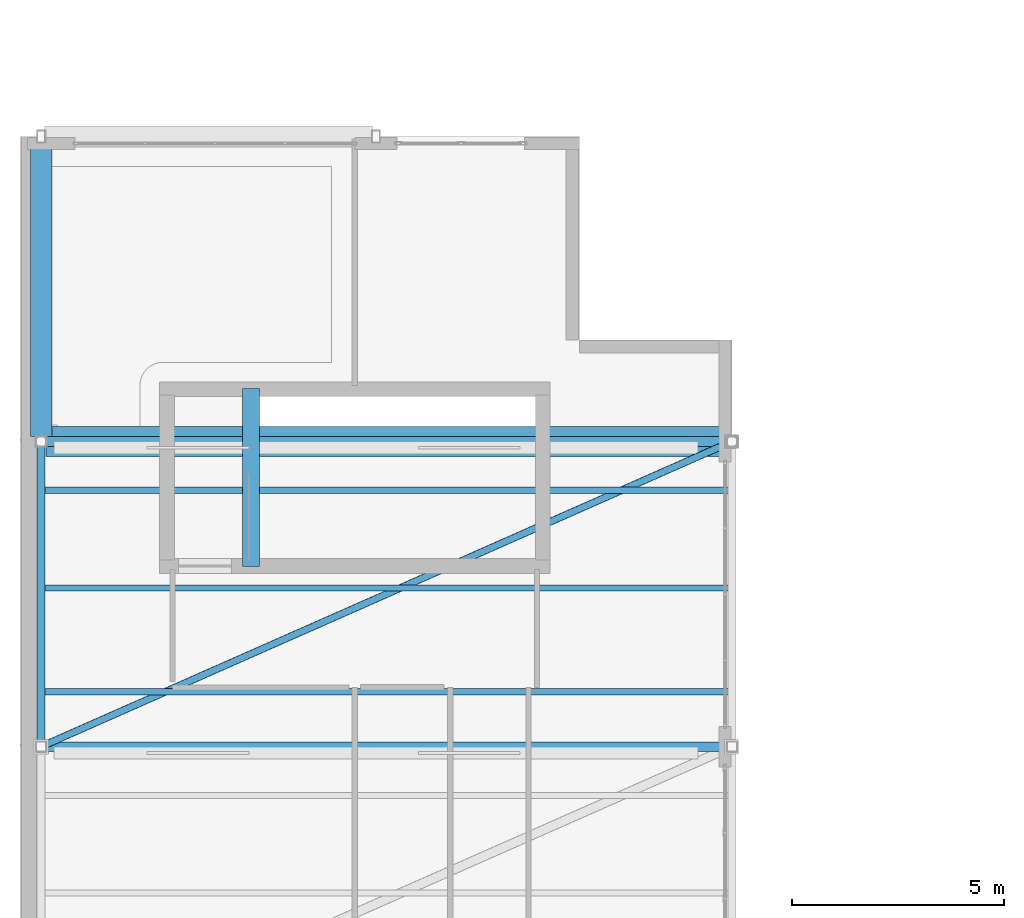
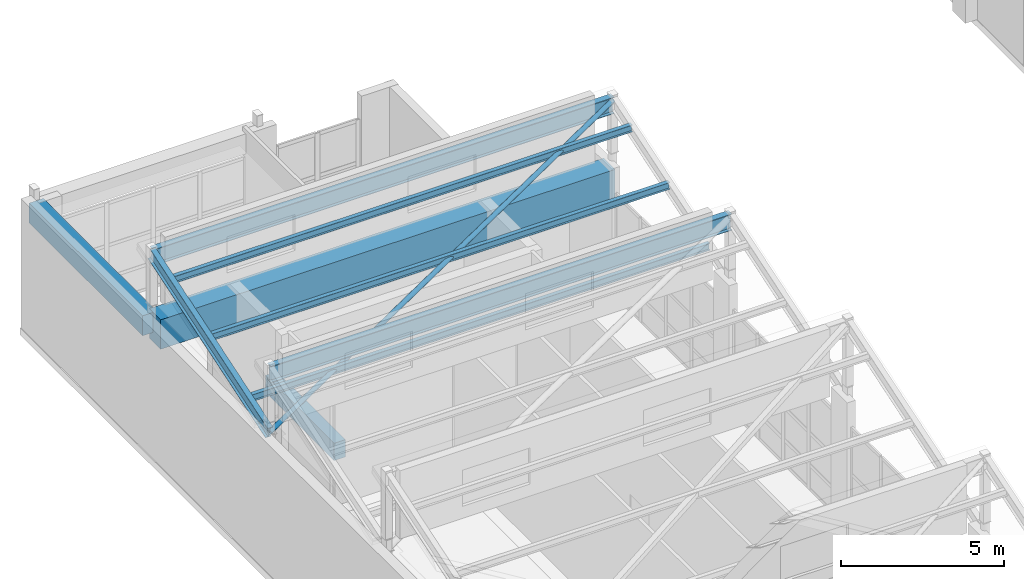
# One storey, part 17 of 34: 6 beams, 4 members.
"""IFC4 building model written with IfcOpenShell, lengths in metres."""

from ifc_helpers import new_model, si_unit, direction, frame, origin, origin_2d, place, context, subcontext, project, spatial, rectangle, hollow_circle, i_section, extrude, material, material_profile, profile_set, type_object, element, save


model = new_model("IFC4")

# Units and contexts
model_context = context("Model", 3, precision=1e-05, world=origin(), true_north=direction((0.0, 1.0)))
body_context = subcontext(model_context, "Body", "Model", "MODEL_VIEW")
ifc_project = project(units=[si_unit("LENGTHUNIT", "METRE"), si_unit("AREAUNIT", "SQUARE_METRE"), si_unit("VOLUMEUNIT", "CUBIC_METRE"), si_unit("PLANEANGLEUNIT", "RADIAN"), si_unit("MASSUNIT", "GRAM", prefix="KILO")], contexts=[model_context])

# Site, building, storey
site_placement = place(None, origin())
site = spatial("IfcSite", under=ifc_project, at=site_placement, CompositionType="ELEMENT")
building_placement = place(site_placement, origin())
building = spatial("IfcBuilding", under=site, at=building_placement, Name="Quendrovan Civic Courthouse", CompositionType="ELEMENT")
storey_placement = place(building_placement, frame((0.0, 0.0, 25.5)))
storey = spatial("IfcBuildingStorey", under=building, at=storey_placement, Name="L06", CompositionType="ELEMENT", Elevation=25.5)

# Beams
ifc_material_1 = material(Name="Post-tensioned concrete C50/60", Category="concrete")
ifc_material_profile_1 = material_profile(ifc_material_1, rectangle(XDim=0.699951171875, YDim=1.10009765625, at=origin_2d()), Name="PT-GIRD-700x1100")
ifc_profile_set_1 = profile_set([ifc_material_profile_1], Name="Post-tensioned concrete C50/60")
beam_type_1 = type_object("IfcBeamType", Name="BM-PT1100", PredefinedType="BEAM", material=ifc_profile_set_1)
beam_1_placement = place(storey_placement, frame((0.616455078125, 87.60009765625, 4.110107421875), z_axis=(1.0, 0.0, 0.0), x_axis=(0.0, 1.0, 0.0)))
element("IfcBeam", 1, at=beam_1_placement, inside=storey, type_object=beam_type_1, Name="L06 Girder X1095", PredefinedType="BEAM", context=body_context, shape_type="SweptSolid", body=[
    extrude(rectangle(XDim=0.699951171875, YDim=1.10009765625, at=origin_2d()), origin(), (0.0, 0.0, 1.0), 16.067138671875),
])
ifc_material_2 = material(Name="Concrete C40/50", Category="concrete")
ifc_material_profile_2 = material_profile(ifc_material_2, rectangle(XDim=0.39990234375, YDim=0.64990234375, at=origin_2d()), Name="RC-BM-400x650")
ifc_profile_set_2 = profile_set([ifc_material_profile_2], Name="Concrete C40/50")
beam_type_2 = type_object("IfcBeamType", Name="BM-RC650", PredefinedType="JOIST", material=ifc_profile_set_2)
beam_2_placement = place(storey_placement, frame((5.449951171875, 84.64990234375, -0.324951171875), z_axis=(0.0, 1.0, 0.0), x_axis=(-1.0, 0.0, 0.0)))
element("IfcBeam", 2, at=beam_2_placement, inside=storey, type_object=beam_type_2, Name="L06 Stair ST8 Landing Trimmer Beam", PredefinedType="JOIST", context=body_context, shape_type="SweptSolid", body=[
    extrude(rectangle(XDim=0.39990234375, YDim=0.64990234375, at=origin_2d()), origin(), (0.0, 0.0, 1.0), 4.2001953125),
])
ifc_material_profile_3 = material_profile(ifc_material_2, rectangle(XDim=0.5, YDim=0.75, at=origin_2d()), Name="RC-BM-500x750")
ifc_profile_set_3 = profile_set([ifc_material_profile_3], Name="Concrete C40/50")
beam_type_3 = type_object("IfcBeamType", Name="BM-RC750", PredefinedType="SPANDREL", material=ifc_profile_set_3)
beam_3_placement = place(storey_placement, frame((0.5, 87.716552734375, 4.284912109375), z_axis=(0.0, 1.0, 0.0), x_axis=(-1.0, 0.0, 0.0)))
element("IfcBeam", 3, at=beam_3_placement, inside=storey, type_object=beam_type_3, Name="L06 Girder Y1113", PredefinedType="SPANDREL", context=body_context, shape_type="SweptSolid", body=[
    extrude(rectangle(XDim=0.5, YDim=0.75, at=origin_2d()), origin(), (0.0, 0.0, 1.0), 6.953369140625),
])
ifc_material_3 = material(Name="Steel ASTM A992 Grade 50", Category="steel")
ifc_material_profile_4 = material_profile(ifc_material_3, i_section(OverallWidth=0.18994140625, OverallDepth=0.45703125, WebThickness=0.009033203125, FlangeThickness=0.014404296875, at=origin_2d()), Name="W460x74")
ifc_profile_set_4 = profile_set([ifc_material_profile_4], Name="Steel ASTM A992 Grade 50")
beam_type_4 = type_object("IfcBeamType", Name="BM-STL-W460", PredefinedType="BEAM", material=ifc_profile_set_4)
beam_4_placement = place(storey_placement, frame((0.5, 80.39990234375, 4.651611328125), z_axis=(0.0, 0.95106155517, 0.309001485882), x_axis=(-1.0, 0.0, 0.0)))
element("IfcBeam", 4, at=beam_4_placement, inside=storey, type_object=beam_type_4, Name="Sawtooth Raking Steel Rafter B8-W", PredefinedType="BEAM", context=body_context, shape_type="SweptSolid", body=[
    extrude(i_section(OverallWidth=0.18994140625, OverallDepth=0.45703125, WebThickness=0.009033203125, FlangeThickness=0.014404296875, at=origin_2d()), origin(), (0.0, 0.0, 1.0), 7.57080078125),
])
ifc_material_profile_5 = material_profile(ifc_material_3, i_section(OverallWidth=0.22900390625, OverallDepth=0.612060546875, WebThickness=0.011962890625, FlangeThickness=0.01953125, at=origin_2d()), Name="W610x125")
ifc_profile_set_5 = profile_set([ifc_material_profile_5], Name="Steel ASTM A992 Grade 50")
beam_type_5 = type_object("IfcBeamType", Name="BM-STL-W610", PredefinedType="BEAM", material=ifc_profile_set_5)
for number, where, z_axis, x_axis, name in (
    (5, (0.5, 80.39990234375, 6.873291015625), (1.0, 0.0, 0.0), (0.0, 1.0, 0.0), "Sawtooth Ridge Steel Collector Beam B7"),
    (6, (0.5, 87.60009765625, 6.873291015625), (1.0, 0.0, 0.0), (0.0, 1.0, 0.0), "Sawtooth Ridge Steel Collector Beam B8"),
):
    element("IfcBeam", number, at=place(storey_placement, frame(where, z_axis=z_axis, x_axis=x_axis)), inside=storey, type_object=beam_type_5, Name=name, PredefinedType="BEAM", context=body_context, shape_type="SweptSolid", body=[
        extrude(i_section(OverallWidth=0.22900390625, OverallDepth=0.612060546875, WebThickness=0.011962890625, FlangeThickness=0.01953125, at=origin_2d()), origin(), (0.0, 0.0, 1.0), 16.300048828125),
    ])

# Members
ifc_material_4 = material(Name="Steel ASTM A500 Grade C", Category="steel")
ifc_material_profile_6 = material_profile(ifc_material_4, hollow_circle(Radius=0.084228515625, WallThickness=0.008056640625, at=origin_2d()), Name="CHS168x8")
ifc_profile_set_6 = profile_set([ifc_material_profile_6], Name="Steel ASTM A500 Grade C")
member_type_1 = type_object("IfcMemberType", Name="MEM-BRC-CHS168", PredefinedType="BRACE", material=ifc_profile_set_6)
member_placement = place(storey_placement, frame((0.5, 80.39990234375, 4.651611328125), z_axis=(0.906949166703, 0.400625250122, 0.130163812107), x_axis=(-0.4040628136, 0.914731240675, 0.0)))
element("IfcMember", 7, at=member_placement, inside=storey, type_object=member_type_1, Name="Sawtooth Roof Diagonal Brace B8", PredefinedType="BRACE", context=body_context, shape_type="SweptSolid", body=[
    extrude(hollow_circle(Radius=0.084228515625, WallThickness=0.008056640625, at=origin_2d()), origin(), (0.0, 0.0, 1.0), 17.972412109375),
])
ifc_material_profile_7 = material_profile(ifc_material_3, i_section(OverallWidth=0.14599609375, OverallDepth=0.258056640625, WebThickness=0.006103515625, FlangeThickness=0.009033203125, at=origin_2d()), Name="W250x33")
ifc_profile_set_7 = profile_set([ifc_material_profile_7], Name="Steel ASTM A992 Grade 50")
member_type_2 = type_object("IfcMemberType", Name="MEM-PUR-W250", PredefinedType="PURLIN", material=ifc_profile_set_7)
for number, where, z_axis, x_axis, name in (
    (8, (0.5, 81.696044921875, 5.14208984375), (1.0, 0.0, 0.0), (0.0, 1.0, 0.0), "Sawtooth Roof Steel Purlin B8-1"),
    (9, (0.5, 84.14404296875, 5.9375), (1.0, 0.0, 0.0), (0.0, 1.0, 0.0), "Sawtooth Roof Steel Purlin B8-2"),
    (10, (0.5, 86.447998046875, 6.68603515625), (1.0, 0.0, 0.0), (0.0, 1.0, 0.0), "Sawtooth Roof Steel Purlin B8-3"),
):
    element("IfcMember", number, at=place(storey_placement, frame(where, z_axis=z_axis, x_axis=x_axis)), inside=storey, type_object=member_type_2, Name=name, PredefinedType="PURLIN", context=body_context, shape_type="SweptSolid", body=[
        extrude(i_section(OverallWidth=0.14599609375, OverallDepth=0.258056640625, WebThickness=0.006103515625, FlangeThickness=0.009033203125, at=origin_2d()), origin(), (0.0, 0.0, 1.0), 16.300048828125),
    ])

save(model, "model.ifc")
